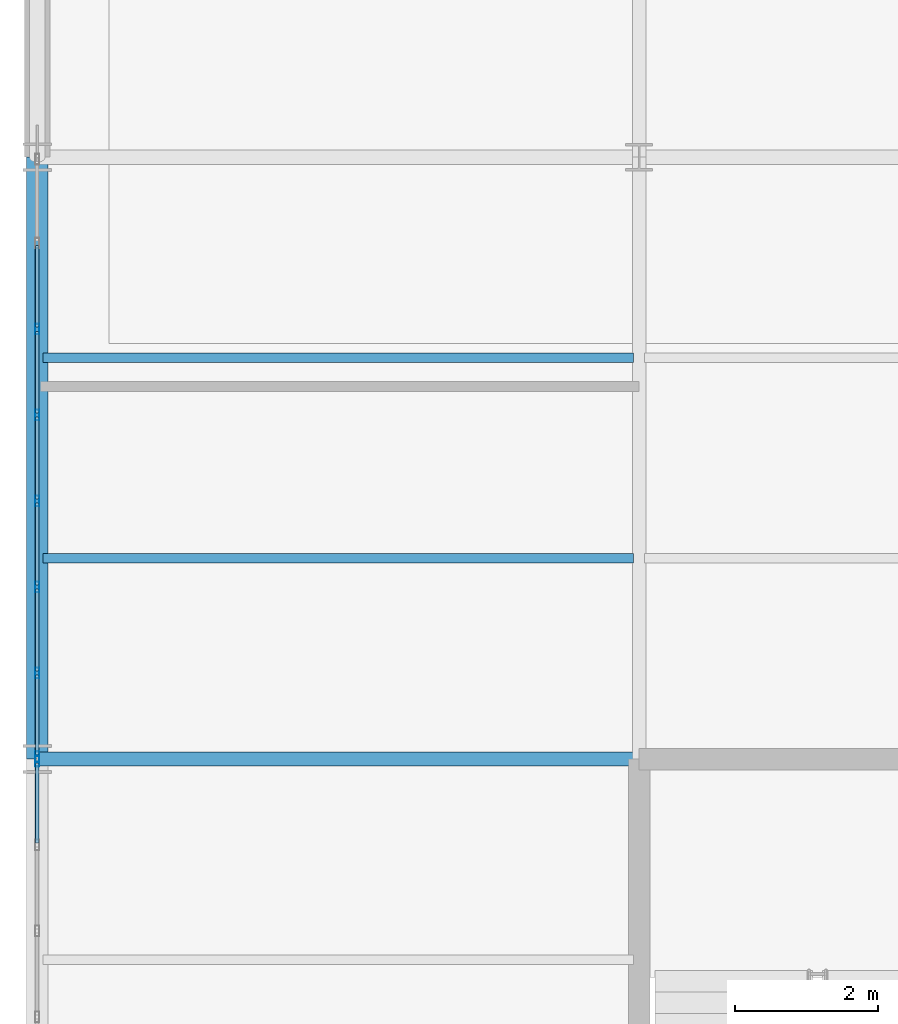
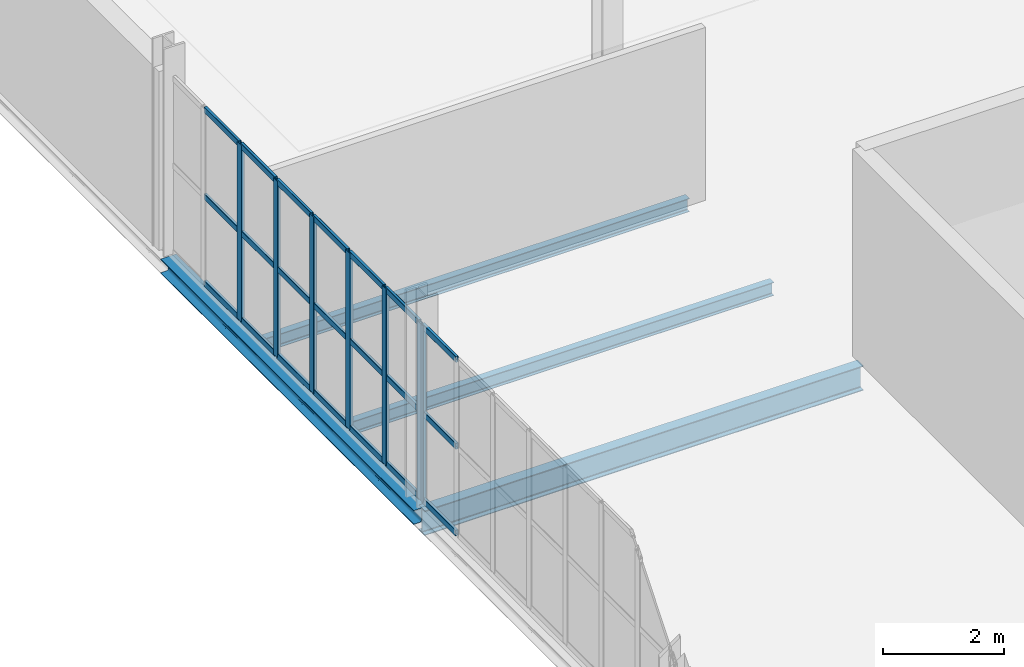
# One storey, part 27 of 184: 28 members, 4 beams, 2 elements without a shape of their own.
"""IFC4 building model written with IfcOpenShell, lengths in metres."""

from ifc_helpers import new_model, si_unit, direction, frame, origin, origin_2d, place, context, subcontext, project, spatial, hollow_rectangle, i_section, extrude, material, layer, layer_set, material_profile, profile_set, type_object, element, aggregate, save


model = new_model("IFC4")

# Units and contexts
model_context = context("Model", 3, precision=1e-05, world=origin(), true_north=direction((0.0, 1.0)))
body_context = subcontext(model_context, "Body", "Model", "MODEL_VIEW")
ifc_project = project(units=[si_unit("LENGTHUNIT", "METRE"), si_unit("AREAUNIT", "SQUARE_METRE"), si_unit("VOLUMEUNIT", "CUBIC_METRE"), si_unit("PLANEANGLEUNIT", "RADIAN"), si_unit("MASSUNIT", "GRAM", prefix="KILO")], contexts=[model_context])

# Site, building, storey
site_placement = place(None, origin())
site = spatial("IfcSite", under=ifc_project, at=site_placement, CompositionType="ELEMENT")
building_placement = place(site_placement, origin())
building = spatial("IfcBuilding", under=site, at=building_placement, Name="Qalvenar Corner Mobility Hub", CompositionType="ELEMENT")
storey_placement = place(building_placement, frame((0.0, 0.0, 9.0)))
storey = spatial("IfcBuildingStorey", under=building, at=storey_placement, Name="L02", CompositionType="ELEMENT", Elevation=9.0)

# Beams
ifc_material_1 = material(Name="Steel S355", Category="steel")
ifc_material_profile_1 = material_profile(ifc_material_1, i_section(OverallWidth=0.199951171875, OverallDepth=0.5, WebThickness=0.01025390625, FlangeThickness=0.01611328125, FilletRadius=0.02099609375, at=origin_2d()), Name="IPE500")
ifc_profile_set_1 = profile_set([ifc_material_profile_1], Name="Steel S355")
beam_type_1 = type_object("IfcBeamType", Name="BM-IPE500", PredefinedType="BEAM", material=ifc_profile_set_1)
beam_1_placement = place(storey_placement, frame((0.0, 16.800048828125, -0.429931640625), z_axis=(1.0, 0.0, 0.0), x_axis=(0.0, 1.0, 0.0)))
element("IfcBeam", 1, at=beam_1_placement, inside=storey, type_object=beam_type_1, Name="Primary Steel Girder GX-1553", PredefinedType="BEAM", context=body_context, shape_type="SweptSolid", body=[
    extrude(i_section(OverallWidth=0.199951171875, OverallDepth=0.5, WebThickness=0.01025390625, FlangeThickness=0.01611328125, FilletRadius=0.02099609375, at=origin_2d()), origin(), (0.0, 0.0, 1.0), 8.39990234375),
])
ifc_material_profile_2 = material_profile(ifc_material_1, i_section(OverallWidth=0.135009765625, OverallDepth=0.27001953125, WebThickness=0.006591796875, FlangeThickness=0.01025390625, FilletRadius=0.014892578125, at=origin_2d()), Name="IPE270")
ifc_profile_set_2 = profile_set([ifc_material_profile_2], Name="Steel S355")
beam_type_2 = type_object("IfcBeamType", Name="BM-JST270", PredefinedType="JOIST", material=ifc_profile_set_2)
for number, where, z_axis, x_axis, name in (
    (2, (0.077880859375, 19.60009765625, -0.31494140625), (1.0, 0.0, 0.0), (0.0, 1.0, 0.0), "Composite Floor Joist J-1617"),
    (3, (0.077880859375, 22.39990234375, -0.31494140625), (1.0, 0.0, 0.0), (0.0, 1.0, 0.0), "Composite Floor Joist J-1618"),
):
    element("IfcBeam", number, at=place(storey_placement, frame(where, z_axis=z_axis, x_axis=x_axis)), inside=storey, type_object=beam_type_2, Name=name, PredefinedType="JOIST", context=body_context, shape_type="SweptSolid", body=[
        extrude(i_section(OverallWidth=0.135009765625, OverallDepth=0.27001953125, WebThickness=0.006591796875, FlangeThickness=0.01025390625, FilletRadius=0.014892578125, at=origin_2d()), origin(), (0.0, 0.0, 1.0), 8.244140625),
    ])
ifc_material_profile_3 = material_profile(ifc_material_1, i_section(OverallWidth=0.300048828125, OverallDepth=0.2900390625, WebThickness=0.008544921875, FlangeThickness=0.013916015625, FilletRadius=0.027099609375, at=origin_2d()), Name="HEA300")
ifc_profile_set_3 = profile_set([ifc_material_profile_3], Name="Steel S355")
beam_type_3 = type_object("IfcBeamType", Name="BM-SPN300", PredefinedType="SPANDREL", material=ifc_profile_set_3)
beam_2_placement = place(storey_placement, frame((0.0, 16.800048828125, -0.324951171875), z_axis=(0.0, 1.0, 0.0), x_axis=(-1.0, 0.0, 0.0)))
element("IfcBeam", 4, at=beam_2_placement, inside=storey, type_object=beam_type_3, Name="Primary Steel Girder GY-1579", PredefinedType="SPANDREL", context=body_context, shape_type="SweptSolid", body=[
    extrude(i_section(OverallWidth=0.300048828125, OverallDepth=0.2900390625, WebThickness=0.008544921875, FlangeThickness=0.013916015625, FilletRadius=0.027099609375, at=origin_2d()), origin(), (0.0, 0.0, 1.0), 8.39990234375),
])

# Curtain wall, member
ifc_material_2 = material(Name="Anodised Aluminium and Low-E Glazing", Category="aluminium")
ifc_layer = layer(ifc_material_2, 0.14990234375)
ifc_layer_set = layer_set([ifc_layer], Name="Anodised Aluminium and Low-E Glazing")
curtain_wall_type = type_object("IfcCurtainWallType", Name="CW-CIV-84X40", PredefinedType="NOTDEFINED", material=ifc_layer_set)
curtain_wall_1_placement = place(storey_placement, origin())
curtain_wall_1 = element("IfcCurtainWall", 5, at=curtain_wall_1_placement, inside=storey, type_object=curtain_wall_type, Name="Glazed Curtain Wall CW-V3-L02-W1", PredefinedType="NOTDEFINED")
ifc_material_3 = material(Name="Anodised Aluminium 6063-T6", Category="aluminium")
ifc_material_profile_4 = material_profile(ifc_material_3, hollow_rectangle(XDim=0.06005859375, YDim=0.14990234375, WallThickness=0.00390625, InnerFilletRadius=0.00390625, OuterFilletRadius=0.008056640625, at=origin_2d()), Name="RHS150x60x4")
ifc_profile_set_4 = profile_set([ifc_material_profile_4], Name="Anodised Aluminium 6063-T6")
member_type_1 = type_object("IfcMemberType", Name="CW-MUL150", PredefinedType="MULLION", material=ifc_profile_set_4)
member_1_placement = place(storey_placement, frame((0.0, 16.77001953125, 0.0), z_axis=(0.0, 0.0, 1.0), x_axis=(1.0, 0.0, 0.0)))
member_1 = element("IfcMember", 6, at=member_1_placement, type_object=member_type_1, Name="CW-05 mullion 1", PredefinedType="MULLION", context=body_context, shape_type="SweptSolid", body=[
    extrude(hollow_rectangle(XDim=0.06005859375, YDim=0.14990234375, WallThickness=0.00390625, InnerFilletRadius=0.00390625, OuterFilletRadius=0.008056640625, at=origin_2d()), origin(), (0.0, 0.0, 1.0), 3.570068359375),
])

# Curtain wall, members
curtain_wall_2_placement = place(storey_placement, origin())
curtain_wall_2 = element("IfcCurtainWall", 7, at=curtain_wall_2_placement, inside=storey, type_object=curtain_wall_type, Name="Glazed Curtain Wall CW-V3-L02-W2", PredefinedType="NOTDEFINED")
member_2_placement = place(storey_placement, frame((0.0, 22.800048828125, 0.0), z_axis=(0.0, 0.0, 1.0), x_axis=(1.0, 0.0, 0.0)))
member_2 = element("IfcMember", 8, at=member_2_placement, type_object=member_type_1, Name="CW-05 mullion 3", PredefinedType="MULLION", context=body_context, shape_type="SweptSolid", body=[
    extrude(hollow_rectangle(XDim=0.06005859375, YDim=0.14990234375, WallThickness=0.00390625, InnerFilletRadius=0.00390625, OuterFilletRadius=0.008056640625, at=origin_2d()), origin(), (0.0, 0.0, 1.0), 3.570068359375),
])
member_3_placement = place(storey_placement, frame((0.0, 21.60009765625, 0.0), z_axis=(0.0, 0.0, 1.0), x_axis=(1.0, 0.0, 0.0)))
member_3 = element("IfcMember", 9, at=member_3_placement, type_object=member_type_1, Name="CW-05 mullion 4", PredefinedType="MULLION", context=body_context, shape_type="SweptSolid", body=[
    extrude(hollow_rectangle(XDim=0.06005859375, YDim=0.14990234375, WallThickness=0.00390625, InnerFilletRadius=0.00390625, OuterFilletRadius=0.008056640625, at=origin_2d()), origin(), (0.0, 0.0, 1.0), 3.570068359375),
])
member_4_placement = place(storey_placement, frame((0.0, 20.39990234375, 0.0), z_axis=(0.0, 0.0, 1.0), x_axis=(1.0, 0.0, 0.0)))
member_4 = element("IfcMember", 10, at=member_4_placement, type_object=member_type_1, Name="CW-05 mullion 5", PredefinedType="MULLION", context=body_context, shape_type="SweptSolid", body=[
    extrude(hollow_rectangle(XDim=0.06005859375, YDim=0.14990234375, WallThickness=0.00390625, InnerFilletRadius=0.00390625, OuterFilletRadius=0.008056640625, at=origin_2d()), origin(), (0.0, 0.0, 1.0), 3.570068359375),
])
member_5_placement = place(storey_placement, frame((0.0, 19.199951171875, 0.0), z_axis=(0.0, 0.0, 1.0), x_axis=(1.0, 0.0, 0.0)))
member_5 = element("IfcMember", 11, at=member_5_placement, type_object=member_type_1, Name="CW-05 mullion 6", PredefinedType="MULLION", context=body_context, shape_type="SweptSolid", body=[
    extrude(hollow_rectangle(XDim=0.06005859375, YDim=0.14990234375, WallThickness=0.00390625, InnerFilletRadius=0.00390625, OuterFilletRadius=0.008056640625, at=origin_2d()), origin(), (0.0, 0.0, 1.0), 3.570068359375),
])
member_6_placement = place(storey_placement, frame((0.0, 18.0, 0.0), z_axis=(0.0, 0.0, 1.0), x_axis=(1.0, 0.0, 0.0)))
member_6 = element("IfcMember", 12, at=member_6_placement, type_object=member_type_1, Name="CW-05 mullion 7", PredefinedType="MULLION", context=body_context, shape_type="SweptSolid", body=[
    extrude(hollow_rectangle(XDim=0.06005859375, YDim=0.14990234375, WallThickness=0.00390625, InnerFilletRadius=0.00390625, OuterFilletRadius=0.008056640625, at=origin_2d()), origin(), (0.0, 0.0, 1.0), 3.570068359375),
])
member_7_placement = place(storey_placement, frame((0.0, 16.830078125, 0.0), z_axis=(0.0, 0.0, 1.0), x_axis=(1.0, 0.0, 0.0)))
member_7 = element("IfcMember", 13, at=member_7_placement, type_object=member_type_1, Name="CW-05 mullion 8", PredefinedType="MULLION", context=body_context, shape_type="SweptSolid", body=[
    extrude(hollow_rectangle(XDim=0.06005859375, YDim=0.14990234375, WallThickness=0.00390625, InnerFilletRadius=0.00390625, OuterFilletRadius=0.008056640625, at=origin_2d()), origin(), (0.0, 0.0, 1.0), 3.570068359375),
])

# Member
ifc_material_profile_5 = material_profile(ifc_material_3, hollow_rectangle(XDim=0.054931640625, YDim=0.1201171875, WallThickness=0.00341796875, InnerFilletRadius=0.00341796875, OuterFilletRadius=0.007080078125, at=origin_2d()), Name="RHS120x55x3.5")
ifc_profile_set_5 = profile_set([ifc_material_profile_5], Name="Anodised Aluminium 6063-T6")
member_type_2 = type_object("IfcMemberType", Name="CW-TRN120", PredefinedType="USERDEFINED", material=ifc_profile_set_5)
member_8_placement = place(storey_placement, frame((0.0, 16.739990234375, 0.027587890625), z_axis=(0.0, -1.0, 0.0), x_axis=(1.0, 0.0, 0.0)))
member_8 = element("IfcMember", 14, at=member_8_placement, type_object=member_type_2, Name="CW-05 transom 1.1", ObjectType="TRANSOM", PredefinedType="USERDEFINED", context=body_context, shape_type="SweptSolid", body=[
    extrude(hollow_rectangle(XDim=0.054931640625, YDim=0.1201171875, WallThickness=0.00341796875, InnerFilletRadius=0.00341796875, OuterFilletRadius=0.007080078125, at=origin_2d()), origin(), (0.0, 0.0, 1.0), 1.110107421875),
])

member_9_placement = place(storey_placement, frame((0.0, 16.739990234375, 1.784912109375), z_axis=(0.0, -1.0, 0.0), x_axis=(1.0, 0.0, 0.0)))
member_9 = element("IfcMember", 15, at=member_9_placement, type_object=member_type_2, Name="CW-05 transom 1.2", ObjectType="TRANSOM", PredefinedType="USERDEFINED", context=body_context, shape_type="SweptSolid", body=[
    extrude(hollow_rectangle(XDim=0.054931640625, YDim=0.1201171875, WallThickness=0.00341796875, InnerFilletRadius=0.00341796875, OuterFilletRadius=0.007080078125, at=origin_2d()), origin(), (0.0, 0.0, 1.0), 1.110107421875),
])

member_10_placement = place(storey_placement, frame((0.0, 16.739990234375, 3.54248046875), z_axis=(0.0, -1.0, 0.0), x_axis=(1.0, 0.0, 0.0)))
member_10 = element("IfcMember", 16, at=member_10_placement, type_object=member_type_2, Name="CW-05 transom 1.3", ObjectType="TRANSOM", PredefinedType="USERDEFINED", context=body_context, shape_type="SweptSolid", body=[
    extrude(hollow_rectangle(XDim=0.054931640625, YDim=0.1201171875, WallThickness=0.00341796875, InnerFilletRadius=0.00341796875, OuterFilletRadius=0.007080078125, at=origin_2d()), origin(), (0.0, 0.0, 1.0), 1.110107421875),
])

aggregate(curtain_wall_1, [member_1, member_8, member_9, member_10])

member_11_placement = place(storey_placement, frame((0.0, 23.969970703125, 0.027587890625), z_axis=(0.0, -1.0, 0.0), x_axis=(1.0, 0.0, 0.0)))
member_11 = element("IfcMember", 17, at=member_11_placement, type_object=member_type_2, Name="CW-05 transom 2.1", ObjectType="TRANSOM", PredefinedType="USERDEFINED", context=body_context, shape_type="SweptSolid", body=[
    extrude(hollow_rectangle(XDim=0.054931640625, YDim=0.1201171875, WallThickness=0.00341796875, InnerFilletRadius=0.00341796875, OuterFilletRadius=0.007080078125, at=origin_2d()), origin(), (0.0, 0.0, 1.0), 1.139892578125),
])

member_12_placement = place(storey_placement, frame((0.0, 23.969970703125, 1.784912109375), z_axis=(0.0, -1.0, 0.0), x_axis=(1.0, 0.0, 0.0)))
member_12 = element("IfcMember", 18, at=member_12_placement, type_object=member_type_2, Name="CW-05 transom 2.2", ObjectType="TRANSOM", PredefinedType="USERDEFINED", context=body_context, shape_type="SweptSolid", body=[
    extrude(hollow_rectangle(XDim=0.054931640625, YDim=0.1201171875, WallThickness=0.00341796875, InnerFilletRadius=0.00341796875, OuterFilletRadius=0.007080078125, at=origin_2d()), origin(), (0.0, 0.0, 1.0), 1.139892578125),
])

member_13_placement = place(storey_placement, frame((0.0, 23.969970703125, 3.54248046875), z_axis=(0.0, -1.0, 0.0), x_axis=(1.0, 0.0, 0.0)))
member_13 = element("IfcMember", 19, at=member_13_placement, type_object=member_type_2, Name="CW-05 transom 2.3", ObjectType="TRANSOM", PredefinedType="USERDEFINED", context=body_context, shape_type="SweptSolid", body=[
    extrude(hollow_rectangle(XDim=0.054931640625, YDim=0.1201171875, WallThickness=0.00341796875, InnerFilletRadius=0.00341796875, OuterFilletRadius=0.007080078125, at=origin_2d()), origin(), (0.0, 0.0, 1.0), 1.139892578125),
])

member_14_placement = place(storey_placement, frame((0.0, 22.77001953125, 0.027587890625), z_axis=(0.0, -1.0, 0.0), x_axis=(1.0, 0.0, 0.0)))
member_14 = element("IfcMember", 20, at=member_14_placement, type_object=member_type_2, Name="CW-05 transom 3.1", ObjectType="TRANSOM", PredefinedType="USERDEFINED", context=body_context, shape_type="SweptSolid", body=[
    extrude(hollow_rectangle(XDim=0.054931640625, YDim=0.1201171875, WallThickness=0.00341796875, InnerFilletRadius=0.00341796875, OuterFilletRadius=0.007080078125, at=origin_2d()), origin(), (0.0, 0.0, 1.0), 1.14013671875),
])

member_15_placement = place(storey_placement, frame((0.0, 22.77001953125, 1.784912109375), z_axis=(0.0, -1.0, 0.0), x_axis=(1.0, 0.0, 0.0)))
member_15 = element("IfcMember", 21, at=member_15_placement, type_object=member_type_2, Name="CW-05 transom 3.2", ObjectType="TRANSOM", PredefinedType="USERDEFINED", context=body_context, shape_type="SweptSolid", body=[
    extrude(hollow_rectangle(XDim=0.054931640625, YDim=0.1201171875, WallThickness=0.00341796875, InnerFilletRadius=0.00341796875, OuterFilletRadius=0.007080078125, at=origin_2d()), origin(), (0.0, 0.0, 1.0), 1.14013671875),
])

member_16_placement = place(storey_placement, frame((0.0, 22.77001953125, 3.54248046875), z_axis=(0.0, -1.0, 0.0), x_axis=(1.0, 0.0, 0.0)))
member_16 = element("IfcMember", 22, at=member_16_placement, type_object=member_type_2, Name="CW-05 transom 3.3", ObjectType="TRANSOM", PredefinedType="USERDEFINED", context=body_context, shape_type="SweptSolid", body=[
    extrude(hollow_rectangle(XDim=0.054931640625, YDim=0.1201171875, WallThickness=0.00341796875, InnerFilletRadius=0.00341796875, OuterFilletRadius=0.007080078125, at=origin_2d()), origin(), (0.0, 0.0, 1.0), 1.14013671875),
])

member_17_placement = place(storey_placement, frame((0.0, 21.570068359375, 0.027587890625), z_axis=(0.0, -1.0, 0.0), x_axis=(1.0, 0.0, 0.0)))
member_17 = element("IfcMember", 23, at=member_17_placement, type_object=member_type_2, Name="CW-05 transom 4.1", ObjectType="TRANSOM", PredefinedType="USERDEFINED", context=body_context, shape_type="SweptSolid", body=[
    extrude(hollow_rectangle(XDim=0.054931640625, YDim=0.1201171875, WallThickness=0.00341796875, InnerFilletRadius=0.00341796875, OuterFilletRadius=0.007080078125, at=origin_2d()), origin(), (0.0, 0.0, 1.0), 1.14013671875),
])

member_18_placement = place(storey_placement, frame((0.0, 21.570068359375, 1.784912109375), z_axis=(0.0, -1.0, 0.0), x_axis=(1.0, 0.0, 0.0)))
member_18 = element("IfcMember", 24, at=member_18_placement, type_object=member_type_2, Name="CW-05 transom 4.2", ObjectType="TRANSOM", PredefinedType="USERDEFINED", context=body_context, shape_type="SweptSolid", body=[
    extrude(hollow_rectangle(XDim=0.054931640625, YDim=0.1201171875, WallThickness=0.00341796875, InnerFilletRadius=0.00341796875, OuterFilletRadius=0.007080078125, at=origin_2d()), origin(), (0.0, 0.0, 1.0), 1.14013671875),
])

member_19_placement = place(storey_placement, frame((0.0, 21.570068359375, 3.54248046875), z_axis=(0.0, -1.0, 0.0), x_axis=(1.0, 0.0, 0.0)))
member_19 = element("IfcMember", 25, at=member_19_placement, type_object=member_type_2, Name="CW-05 transom 4.3", ObjectType="TRANSOM", PredefinedType="USERDEFINED", context=body_context, shape_type="SweptSolid", body=[
    extrude(hollow_rectangle(XDim=0.054931640625, YDim=0.1201171875, WallThickness=0.00341796875, InnerFilletRadius=0.00341796875, OuterFilletRadius=0.007080078125, at=origin_2d()), origin(), (0.0, 0.0, 1.0), 1.14013671875),
])

member_20_placement = place(storey_placement, frame((0.0, 20.3701171875, 0.027587890625), z_axis=(0.0, -1.0, 0.0), x_axis=(1.0, 0.0, 0.0)))
member_20 = element("IfcMember", 26, at=member_20_placement, type_object=member_type_2, Name="CW-05 transom 5.1", ObjectType="TRANSOM", PredefinedType="USERDEFINED", context=body_context, shape_type="SweptSolid", body=[
    extrude(hollow_rectangle(XDim=0.054931640625, YDim=0.1201171875, WallThickness=0.00341796875, InnerFilletRadius=0.00341796875, OuterFilletRadius=0.007080078125, at=origin_2d()), origin(), (0.0, 0.0, 1.0), 1.14013671875),
])

member_21_placement = place(storey_placement, frame((0.0, 20.3701171875, 1.784912109375), z_axis=(0.0, -1.0, 0.0), x_axis=(1.0, 0.0, 0.0)))
member_21 = element("IfcMember", 27, at=member_21_placement, type_object=member_type_2, Name="CW-05 transom 5.2", ObjectType="TRANSOM", PredefinedType="USERDEFINED", context=body_context, shape_type="SweptSolid", body=[
    extrude(hollow_rectangle(XDim=0.054931640625, YDim=0.1201171875, WallThickness=0.00341796875, InnerFilletRadius=0.00341796875, OuterFilletRadius=0.007080078125, at=origin_2d()), origin(), (0.0, 0.0, 1.0), 1.14013671875),
])

member_22_placement = place(storey_placement, frame((0.0, 20.3701171875, 3.54248046875), z_axis=(0.0, -1.0, 0.0), x_axis=(1.0, 0.0, 0.0)))
member_22 = element("IfcMember", 28, at=member_22_placement, type_object=member_type_2, Name="CW-05 transom 5.3", ObjectType="TRANSOM", PredefinedType="USERDEFINED", context=body_context, shape_type="SweptSolid", body=[
    extrude(hollow_rectangle(XDim=0.054931640625, YDim=0.1201171875, WallThickness=0.00341796875, InnerFilletRadius=0.00341796875, OuterFilletRadius=0.007080078125, at=origin_2d()), origin(), (0.0, 0.0, 1.0), 1.14013671875),
])

member_23_placement = place(storey_placement, frame((0.0, 19.169921875, 0.027587890625), z_axis=(0.0, -1.0, 0.0), x_axis=(1.0, 0.0, 0.0)))
member_23 = element("IfcMember", 29, at=member_23_placement, type_object=member_type_2, Name="CW-05 transom 6.1", ObjectType="TRANSOM", PredefinedType="USERDEFINED", context=body_context, shape_type="SweptSolid", body=[
    extrude(hollow_rectangle(XDim=0.054931640625, YDim=0.1201171875, WallThickness=0.00341796875, InnerFilletRadius=0.00341796875, OuterFilletRadius=0.007080078125, at=origin_2d()), origin(), (0.0, 0.0, 1.0), 1.139892578125),
])

member_24_placement = place(storey_placement, frame((0.0, 19.169921875, 1.784912109375), z_axis=(0.0, -1.0, 0.0), x_axis=(1.0, 0.0, 0.0)))
member_24 = element("IfcMember", 30, at=member_24_placement, type_object=member_type_2, Name="CW-05 transom 6.2", ObjectType="TRANSOM", PredefinedType="USERDEFINED", context=body_context, shape_type="SweptSolid", body=[
    extrude(hollow_rectangle(XDim=0.054931640625, YDim=0.1201171875, WallThickness=0.00341796875, InnerFilletRadius=0.00341796875, OuterFilletRadius=0.007080078125, at=origin_2d()), origin(), (0.0, 0.0, 1.0), 1.139892578125),
])

member_25_placement = place(storey_placement, frame((0.0, 19.169921875, 3.54248046875), z_axis=(0.0, -1.0, 0.0), x_axis=(1.0, 0.0, 0.0)))
member_25 = element("IfcMember", 31, at=member_25_placement, type_object=member_type_2, Name="CW-05 transom 6.3", ObjectType="TRANSOM", PredefinedType="USERDEFINED", context=body_context, shape_type="SweptSolid", body=[
    extrude(hollow_rectangle(XDim=0.054931640625, YDim=0.1201171875, WallThickness=0.00341796875, InnerFilletRadius=0.00341796875, OuterFilletRadius=0.007080078125, at=origin_2d()), origin(), (0.0, 0.0, 1.0), 1.139892578125),
])

member_26_placement = place(storey_placement, frame((0.0, 17.969970703125, 0.027587890625), z_axis=(0.0, -1.0, 0.0), x_axis=(1.0, 0.0, 0.0)))
member_26 = element("IfcMember", 32, at=member_26_placement, type_object=member_type_2, Name="CW-05 transom 7.1", ObjectType="TRANSOM", PredefinedType="USERDEFINED", context=body_context, shape_type="SweptSolid", body=[
    extrude(hollow_rectangle(XDim=0.054931640625, YDim=0.1201171875, WallThickness=0.00341796875, InnerFilletRadius=0.00341796875, OuterFilletRadius=0.007080078125, at=origin_2d()), origin(), (0.0, 0.0, 1.0), 1.10986328125),
])

member_27_placement = place(storey_placement, frame((0.0, 17.969970703125, 1.784912109375), z_axis=(0.0, -1.0, 0.0), x_axis=(1.0, 0.0, 0.0)))
member_27 = element("IfcMember", 33, at=member_27_placement, type_object=member_type_2, Name="CW-05 transom 7.2", ObjectType="TRANSOM", PredefinedType="USERDEFINED", context=body_context, shape_type="SweptSolid", body=[
    extrude(hollow_rectangle(XDim=0.054931640625, YDim=0.1201171875, WallThickness=0.00341796875, InnerFilletRadius=0.00341796875, OuterFilletRadius=0.007080078125, at=origin_2d()), origin(), (0.0, 0.0, 1.0), 1.10986328125),
])

member_28_placement = place(storey_placement, frame((0.0, 17.969970703125, 3.54248046875), z_axis=(0.0, -1.0, 0.0), x_axis=(1.0, 0.0, 0.0)))
member_28 = element("IfcMember", 34, at=member_28_placement, type_object=member_type_2, Name="CW-05 transom 7.3", ObjectType="TRANSOM", PredefinedType="USERDEFINED", context=body_context, shape_type="SweptSolid", body=[
    extrude(hollow_rectangle(XDim=0.054931640625, YDim=0.1201171875, WallThickness=0.00341796875, InnerFilletRadius=0.00341796875, OuterFilletRadius=0.007080078125, at=origin_2d()), origin(), (0.0, 0.0, 1.0), 1.10986328125),
])

aggregate(curtain_wall_2, [member_2, member_3, member_4, member_5, member_6, member_7, member_11, member_12, member_13, member_14, member_15, member_16, member_17, member_18, member_19, member_20, member_21, member_22, member_23, member_24, member_25, member_26, member_27, member_28])

save(model, "model.ifc")
